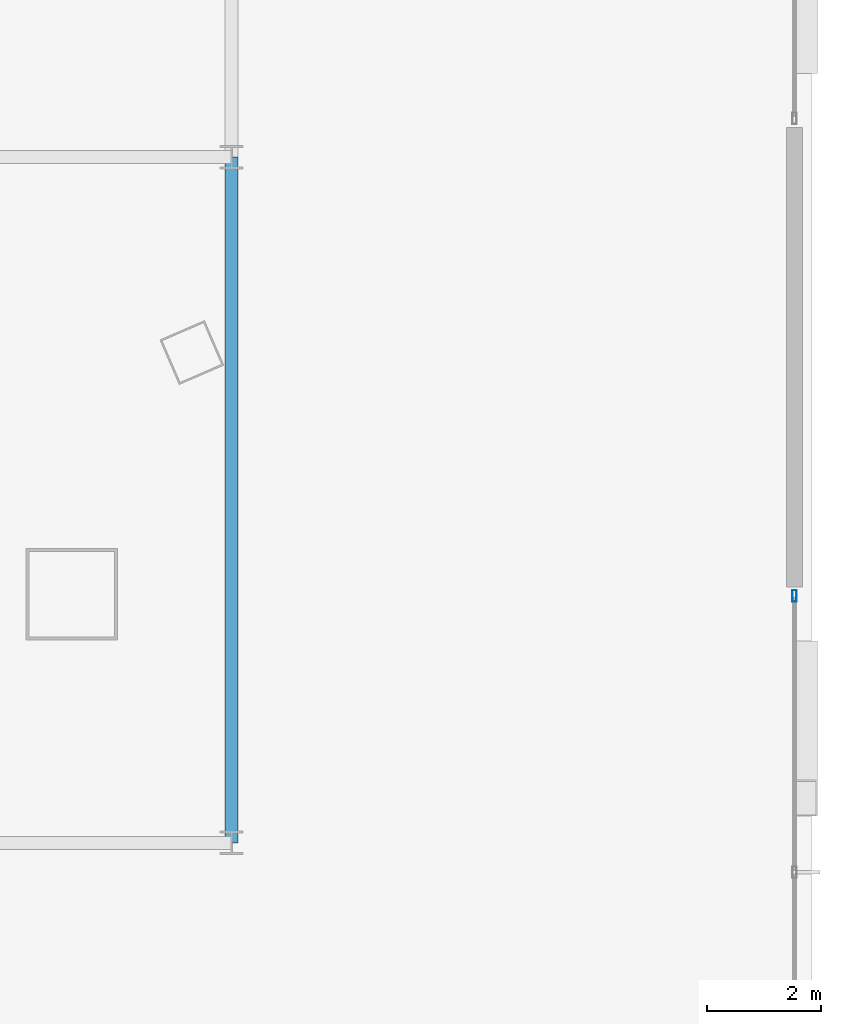
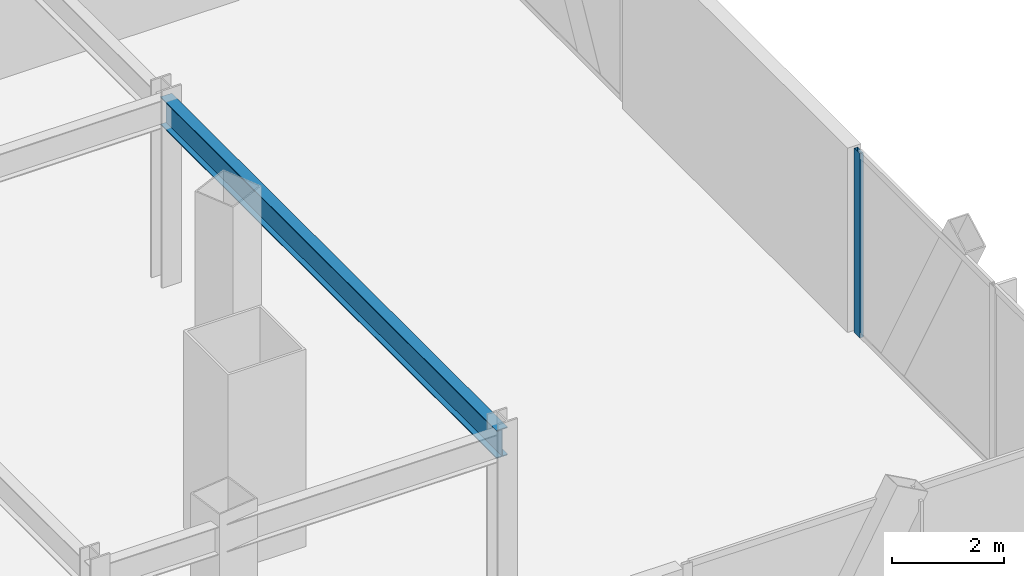
# One storey, part 18 of 42: 1 beam, 1 member, 1 element without a shape of its own.
"""IFC4 building model written with IfcOpenShell, lengths in metres."""

import ifcopenshell
import ifcopenshell.guid

model = None  # the IFC model being written
_history = None  # IfcOwnerHistory: only IFC2X3 demands one
_inside = {}  # id of a spatial element -> (the spatial element, [elements in it])
_under = {}  # id of a project, library or spatial element -> (it, [spatial elements below it])
_declared = {}  # id of a project -> (the project, [libraries it declares])
_typed = {}  # id of a type object -> (the type object, [elements of that type])
_made_of = {}  # id of a material, layer set ... -> (it, [elements and type objects made of it])


def new_model(schema):
    """Start an empty IFC model of exactly this schema.

    Asked for "IFC4X3", IfcOpenShell would pick the latest addendum, in which some entities
    have other attributes; the version numbers below select the first issue.
    IFC2X3 requires an IfcOwnerHistory on every rooted entity: one is made here for all.
    """
    global model, _history
    if schema == "IFC4X3":
        model = ifcopenshell.file(schema_version=(4, 3, 0, 0))
    else:
        model = ifcopenshell.file(schema=schema)
    _inside.clear()
    _under.clear()
    _declared.clear()
    _typed.clear()
    _made_of.clear()
    _history = None
    if model.schema == "IFC2X3":
        org = make("IfcOrganization", Name="unknown")
        user = make(
            "IfcPersonAndOrganization",
            ThePerson=make("IfcPerson", FamilyName="unknown"),
            TheOrganization=org,
        )
        app = make(
            "IfcApplication",
            ApplicationDeveloper=org,
            Version="unknown",
            ApplicationFullName="unknown",
            ApplicationIdentifier="unknown",
        )
        _history = make(
            "IfcOwnerHistory",
            OwningUser=user,
            OwningApplication=app,
            ChangeAction="ADDED",
            CreationDate=0,
        )
    return model


def make(cls, **values):
    """One entity of the class cls with the attributes given. An attribute that is None is left unset."""
    return model.create_entity(
        cls, **{name: value for name, value in values.items() if value is not None}
    )


def rooted(cls, **values):
    """An entity with a GlobalId (a new one), such as an element, a storey or a relation."""
    return make(cls, GlobalId=ifcopenshell.guid.new(), OwnerHistory=_history, **values)


def si_unit(unit_type, name, prefix=None):
    """IfcSIUnit, for example si_unit("LENGTHUNIT", "METRE", prefix="MILLI")."""
    return make("IfcSIUnit", UnitType=unit_type, Prefix=prefix, Name=name)


def assignment(units):
    """IfcUnitAssignment: the units of a project."""
    return None if units is None else make("IfcUnitAssignment", Units=units)


def point(xyz):
    """IfcCartesianPoint."""
    return None if xyz is None else make("IfcCartesianPoint", Coordinates=xyz)


def direction(xyz):
    """IfcDirection."""
    return None if xyz is None else make("IfcDirection", DirectionRatios=xyz)


def frame(location, z_axis=None, x_axis=None):
    """IfcAxis2Placement3D, a coordinate frame: its origin and axes. An axis left out is left unset."""
    return make(
        "IfcAxis2Placement3D",
        Location=point(location),
        Axis=direction(z_axis),
        RefDirection=direction(x_axis),
    )


def frame_2d(location, x_axis=None):
    """IfcAxis2Placement2D, a coordinate frame in the plane: its origin and x axis."""
    return make(
        "IfcAxis2Placement2D", Location=point(location), RefDirection=direction(x_axis)
    )


def origin():
    """The frame at (0, 0, 0) with its axes left unset."""
    return frame((0.0, 0.0, 0.0))


def origin_2d():
    """The frame at (0, 0) in the plane with its x axis left unset."""
    return frame_2d((0.0, 0.0))


def place(relative_to, where):
    """IfcLocalPlacement: puts the frame where relative to a parent placement (None: the world)."""
    return make(
        "IfcLocalPlacement", PlacementRelTo=relative_to, RelativePlacement=where
    )


def context(
    kind, dimensions, precision=None, world=None, true_north=None, identifier=None
):
    """IfcGeometricRepresentationContext, for example the 3D "Model" context."""
    return make(
        "IfcGeometricRepresentationContext",
        ContextIdentifier=identifier,
        ContextType=kind,
        CoordinateSpaceDimension=dimensions,
        Precision=precision,
        WorldCoordinateSystem=world,
        TrueNorth=true_north,
    )


def subcontext(parent, identifier, kind, view, scale=None):
    """IfcGeometricRepresentationSubContext, for example "Body" below "Model"."""
    return make(
        "IfcGeometricRepresentationSubContext",
        ContextIdentifier=identifier,
        ContextType=kind,
        ParentContext=parent,
        TargetScale=scale,
        TargetView=view,
    )


def project(units=None, contexts=None):
    """IfcProject with its units and contexts."""
    return rooted(
        "IfcProject",
        Name="project",
        RepresentationContexts=contexts,
        UnitsInContext=assignment(units),
    )


def spatial(cls, under=None, at=None, **own):
    """A site, building, storey or space (cls), placed at a placement, below another one or the project."""
    s = rooted(cls, ObjectPlacement=at, **own)
    if under is not None:
        _under.setdefault(under.id(), (under, []))[1].append(s)
    return s


def profile(cls, at=None, kind="AREA", **sizes):
    """A parametric profile (cls). Its sizes go by their IFC names, for example OverallWidth=200.0."""
    return make(cls, ProfileType=kind, Position=at, **sizes)


def hollow_rectangle(**sizes):
    """IfcRectangleHollowProfileDef."""
    return profile("IfcRectangleHollowProfileDef", **sizes)


def i_section(**sizes):
    """IfcIShapeProfileDef."""
    return profile("IfcIShapeProfileDef", **sizes)


def extrude(swept, where, along, depth):
    """IfcExtrudedAreaSolid: the profile swept, set in the frame where, extruded along a direction by depth."""
    return make(
        "IfcExtrudedAreaSolid",
        SweptArea=swept,
        Position=where,
        ExtrudedDirection=direction(along),
        Depth=depth,
    )


def shape(context_of_items, identifier, shape_type, items):
    """IfcShapeRepresentation: the items that make up one representation, for example the "Body"."""
    return make(
        "IfcShapeRepresentation",
        ContextOfItems=context_of_items,
        RepresentationIdentifier=identifier,
        RepresentationType=shape_type,
        Items=items,
    )


def material(Name=None, Category=None):
    """IfcMaterial."""
    return make("IfcMaterial", Name=Name, Category=Category)


def layer(
    of_material, thickness, ventilated=None, Name=None, Category=None, Priority=None
):
    """IfcMaterialLayer: one layer of a wall or slab, of a material (None: an air gap)."""
    return make(
        "IfcMaterialLayer",
        Material=of_material,
        LayerThickness=thickness,
        IsVentilated=ventilated,
        Name=Name,
        Category=Category,
        Priority=Priority,
    )


def layer_set(layers, Name=None):
    """IfcMaterialLayerSet."""
    return make("IfcMaterialLayerSet", MaterialLayers=layers, LayerSetName=Name)


def material_profile(
    of_material, cross_section, Name=None, Category=None, Priority=None
):
    """IfcMaterialProfile: a cross section and its material."""
    return make(
        "IfcMaterialProfile",
        Name=Name,
        Material=of_material,
        Profile=cross_section,
        Priority=Priority,
        Category=Category,
    )


def profile_set(profiles, Name=None, composite=None):
    """IfcMaterialProfileSet."""
    return make(
        "IfcMaterialProfileSet",
        Name=Name,
        MaterialProfiles=profiles,
        CompositeProfile=composite,
    )


def made_of(thing, what):
    """Note that an element or type object is made of a material, layer set ...; save() writes the relation."""
    if what is not None:
        _made_of.setdefault(what.id(), (what, []))[1].append(thing)
    return thing


def type_object(cls, material=None, **own):
    """A type object (cls), such as IfcWallType, which elements share."""
    return made_of(rooted(cls, **own), material)


def element(
    cls,
    number,
    at=None,
    inside=None,
    cuts=None,
    type_object=None,
    material=None,
    context=None,
    identifier="Body",
    shape_type=None,
    held_by="IfcProductDefinitionShape",
    body=None,
    shapes=None,
    **own,
):
    """One element of the class cls, such as IfcWall. Its Tag is "e" and its number.

    at: its placement. inside: the storey or other place that contains it. cuts: it is an
    opening in that element (IfcRelVoidsElement). A single representation is given by context,
    identifier, shape_type and body (its items); several are given by shapes. held_by: the class
    of the entity that holds the representations. save() writes the other relations.
    """
    e = rooted(cls, Tag="e%d" % number, ObjectPlacement=at, **own)
    if body is not None:
        shapes = [shape(context, identifier, shape_type, body)]
    if shapes is not None:
        e.Representation = make(held_by, Representations=shapes)
    if inside is not None:
        _inside.setdefault(inside.id(), (inside, []))[1].append(e)
    if cuts is not None:
        rooted(
            "IfcRelVoidsElement", RelatingBuildingElement=cuts, RelatedOpeningElement=e
        )
    if type_object is not None:
        _typed.setdefault(type_object.id(), (type_object, []))[1].append(e)
    return made_of(e, material)


def aggregate(whole, parts):
    """IfcRelAggregates: a whole, such as a stair, and the parts it consists of."""
    return rooted("IfcRelAggregates", RelatingObject=whole, RelatedObjects=parts)


def save(model, path):
    """Write the relations noted so far, then the file.

    IfcRelAggregates (storeys below a building ...), IfcRelContainedInSpatialStructure (elements
    in a storey), IfcRelDefinesByType, IfcRelAssociatesMaterial and IfcRelDeclares: one each for
    every whole, place, type object, material and project.
    """
    for whole, parts in _under.values():
        aggregate(whole, parts)
    for where, things in _inside.values():
        rooted(
            "IfcRelContainedInSpatialStructure",
            RelatedElements=things,
            RelatingStructure=where,
        )
    for kind, things in _typed.values():
        rooted("IfcRelDefinesByType", RelatedObjects=things, RelatingType=kind)
    for what, things in _made_of.values():
        rooted("IfcRelAssociatesMaterial", RelatedObjects=things, RelatingMaterial=what)
    for by, libraries in _declared.values():
        rooted("IfcRelDeclares", RelatingContext=by, RelatedDefinitions=libraries)
    model.write(path)


model = new_model("IFC4")

# Units and contexts
model_context = context("Model", 3, precision=1e-05, world=origin(), true_north=direction((0.0, 1.0)))
body_context = subcontext(model_context, "Body", "Model", "MODEL_VIEW")
ifc_project = project(units=[si_unit("LENGTHUNIT", "METRE"), si_unit("AREAUNIT", "SQUARE_METRE"), si_unit("VOLUMEUNIT", "CUBIC_METRE"), si_unit("PLANEANGLEUNIT", "RADIAN"), si_unit("MASSUNIT", "GRAM", prefix="KILO")], contexts=[model_context])

# Site, building, storey
site_placement = place(None, origin())
site = spatial("IfcSite", under=ifc_project, at=site_placement, CompositionType="ELEMENT")
building_placement = place(site_placement, origin())
building = spatial("IfcBuilding", under=site, at=building_placement, Name="Orvanel Arch Residences", CompositionType="ELEMENT")
storey_placement = place(building_placement, frame((0.0, 0.0, 9.800048828125)))
storey = spatial("IfcBuildingStorey", under=building, at=storey_placement, Name="L02", CompositionType="ELEMENT", Elevation=9.800048828125)

# Beam
ifc_material_1 = material(Name="Structural steel AS/NZS 3679.1 Grade 300 (300 MPa)", Category="steel")
ifc_material_profile_1 = material_profile(ifc_material_1, i_section(OverallWidth=0.22900390625, OverallDepth=0.612060546875, WebThickness=0.011962890625, FlangeThickness=0.01953125, at=origin_2d()), Name="610UB125")
ifc_profile_set_1 = profile_set([ifc_material_profile_1], Name="Structural steel AS/NZS 3679.1 Grade 300 (300 MPa)")
beam_type = type_object("IfcBeamType", Name="BG-610UB", PredefinedType="BEAM", material=ifc_profile_set_1)
beam_placement = place(storey_placement, frame((54.60009765625, 6.0, 3.7138671875), z_axis=(0.0, 1.0, 0.0), x_axis=(-1.0, 0.0, 0.0)))
element("IfcBeam", 1, at=beam_placement, inside=storey, type_object=beam_type, Name="L02 North-South Podium Girder XE55-S", PredefinedType="BEAM", context=body_context, shape_type="SweptSolid", body=[
    extrude(i_section(OverallWidth=0.22900390625, OverallDepth=0.612060546875, WebThickness=0.011962890625, FlangeThickness=0.01953125, at=origin_2d()), origin(), (0.0, 0.0, 1.0), 12.0),
])

# Curtain wall, member
ifc_material_2 = material(Name="Bronze-anodised aluminium AA6063-T6", Category="aluminium")
ifc_layer = layer(ifc_material_2, 0.199951171875)
ifc_layer_set = layer_set([ifc_layer], Name="Bronze-anodised aluminium AA6063-T6")
curtain_wall_type = type_object("IfcCurtainWallType", Name="CW1-POD-SYS", PredefinedType="NOTDEFINED", material=ifc_layer_set)
curtain_wall_placement = place(storey_placement, origin())
curtain_wall = element("IfcCurtainWall", 2, at=curtain_wall_placement, inside=storey, type_object=curtain_wall_type, Name="L02 CW1-POD-SYS Unitised Curtain Wall", PredefinedType="NOTDEFINED")
ifc_material_profile_2 = material_profile(ifc_material_2, hollow_rectangle(XDim=0.074951171875, YDim=0.199951171875, WallThickness=0.0048828125, at=origin_2d()), Name="ALU200x75x5")
ifc_profile_set_2 = profile_set([ifc_material_profile_2], Name="Bronze-anodised aluminium AA6063-T6")
member_type = type_object("IfcMemberType", Name="MUL-200x75", PredefinedType="MULLION", material=ifc_profile_set_2)
member_placement = place(storey_placement, frame((64.449951171875, 10.322509765625, 0.0), z_axis=(0.0, 0.0, 1.0), x_axis=(-1.0, 0.0, 0.0)))
member = element("IfcMember", 3, at=member_placement, type_object=member_type, Name="CW-S1 mullion 3", PredefinedType="MULLION", context=body_context, shape_type="SweptSolid", body=[
    extrude(hollow_rectangle(XDim=0.074951171875, YDim=0.199951171875, WallThickness=0.0048828125, at=origin_2d()), origin(), (0.0, 0.0, 1.0), 4.02001953125),
])
aggregate(curtain_wall, [member])

save(model, "model.ifc")
